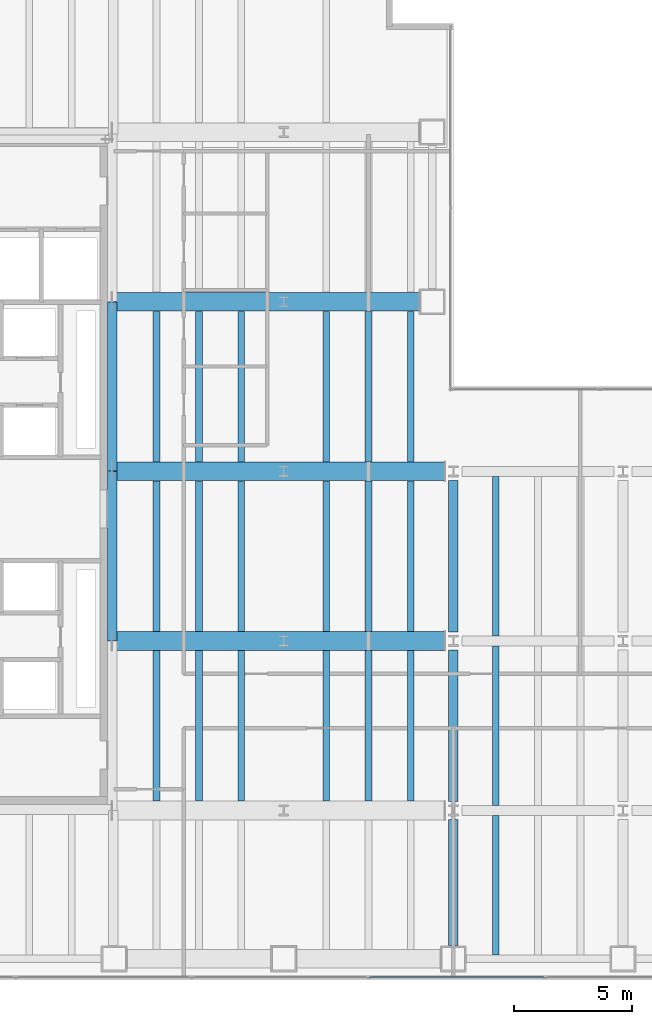
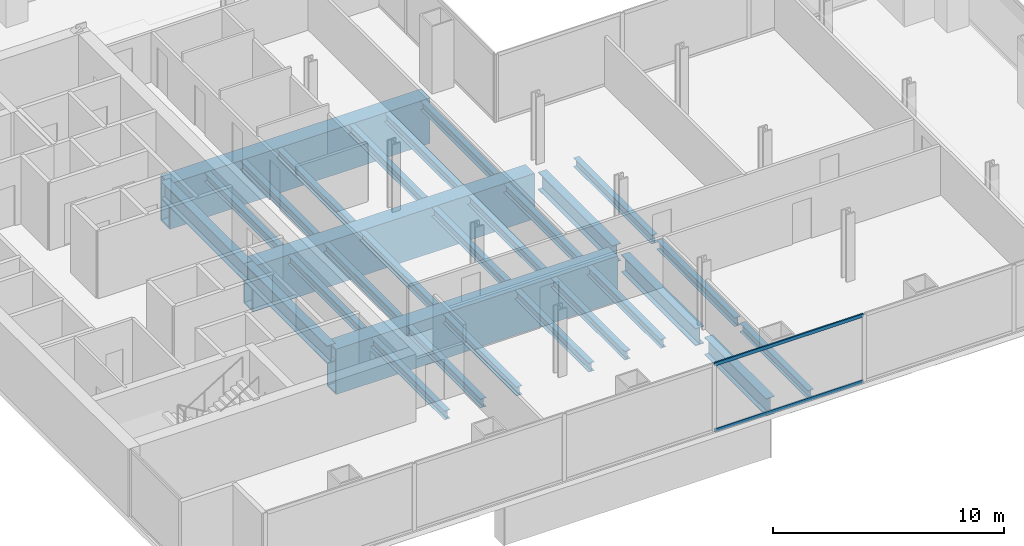
# One storey, part 5 of 24: 29 beams, 2 members, 1 element without a shape of its own.
"""IFC4 building model written with IfcOpenShell, lengths in metres."""

from ifc_helpers import new_model, si_unit, direction, frame, origin, origin_2d, place, context, subcontext, project, spatial, hollow_rectangle, i_section, extrude, material, material_profile, profile_set, type_object, element, aggregate, save


model = new_model("IFC4")

# Units and contexts
model_context = context("Model", 3, precision=1e-05, world=origin(), true_north=direction((0.0, 1.0)))
body_context = subcontext(model_context, "Body", "Model", "MODEL_VIEW")
ifc_project = project(units=[si_unit("LENGTHUNIT", "METRE"), si_unit("AREAUNIT", "SQUARE_METRE"), si_unit("VOLUMEUNIT", "CUBIC_METRE"), si_unit("PLANEANGLEUNIT", "RADIAN"), si_unit("MASSUNIT", "GRAM", prefix="KILO")], contexts=[model_context])

# Site, building, storey
site_placement = place(None, origin())
site = spatial("IfcSite", under=ifc_project, at=site_placement, CompositionType="ELEMENT")
building_placement = place(site_placement, origin())
building = spatial("IfcBuilding", under=site, at=building_placement, Name="Cobrela Telecom Tower", CompositionType="ELEMENT")
storey_placement = place(building_placement, frame((0.0, 0.0, 31.14990234375)))
storey = spatial("IfcBuildingStorey", under=building, at=storey_placement, Name="L07", CompositionType="ELEMENT", Elevation=31.14990234375)

# Beams
ifc_material_1 = material(Name="Steel ASTM A992 Grade 50", Category="steel")
ifc_material_profile_1 = material_profile(ifc_material_1, i_section(OverallWidth=0.4189453125, OverallDepth=0.927001953125, WebThickness=0.019287109375, FlangeThickness=0.031982421875, FilletRadius=0.02392578125, at=origin_2d()), Name="W36X231")
ifc_profile_set_1 = profile_set([ifc_material_profile_1], Name="Steel ASTM A992 Grade 50")
beam_type_1 = type_object("IfcBeamType", Name="BM-GIRD-02", PredefinedType="USERDEFINED", material=ifc_profile_set_1)
for number, where, z_axis, x_axis, name in (
    (1, (14.320068359375, 14.405029296875, -0.743408203125), (0.0, 1.0, 0.0), (-1.0, 0.0, 0.0), "L07 Primary Girder Y22"),
    (2, (14.320068359375, 21.60498046875, -0.743408203125), (0.0, 1.0, 0.0), (-1.0, 0.0, 0.0), "L07 Primary Girder Y23"),
):
    element("IfcBeam", number, at=place(storey_placement, frame(where, z_axis=z_axis, x_axis=x_axis)), inside=storey, type_object=beam_type_1, Name=name, ObjectType="GIRDER", PredefinedType="USERDEFINED", context=body_context, shape_type="SweptSolid", body=[
        extrude(i_section(OverallWidth=0.4189453125, OverallDepth=0.927001953125, WebThickness=0.019287109375, FlangeThickness=0.031982421875, FilletRadius=0.02392578125, at=origin_2d()), origin(), (0.0, 0.0, 1.0), 7.18994140625),
    ])
beam_1_placement = place(storey_placement, frame((28.800048828125, 1.455078125, -0.743408203125), z_axis=(0.0, 1.0, 0.0), x_axis=(-1.0, 0.0, 0.0)))
element("IfcBeam", 3, at=beam_1_placement, inside=storey, type_object=beam_type_1, Name="L07 Primary Girder Y27", ObjectType="GIRDER", PredefinedType="USERDEFINED", context=body_context, shape_type="SweptSolid", body=[
    extrude(i_section(OverallWidth=0.4189453125, OverallDepth=0.927001953125, WebThickness=0.019287109375, FlangeThickness=0.031982421875, FilletRadius=0.02392578125, at=origin_2d()), origin(), (0.0, 0.0, 1.0), 5.364990234375),
])
for number, where, z_axis, x_axis, name in (
    (4, (28.800048828125, 7.580078125, -0.743408203125), (0.0, 1.0, 0.0), (-1.0, 0.0, 0.0), "L07 Primary Girder Y28"),
    (5, (28.800048828125, 14.780029296875, -0.743408203125), (0.0, 1.0, 0.0), (-1.0, 0.0, 0.0), "L07 Primary Girder Y29"),
):
    element("IfcBeam", number, at=place(storey_placement, frame(where, z_axis=z_axis, x_axis=x_axis)), inside=storey, type_object=beam_type_1, Name=name, ObjectType="GIRDER", PredefinedType="USERDEFINED", context=body_context, shape_type="SweptSolid", body=[
        extrude(i_section(OverallWidth=0.4189453125, OverallDepth=0.927001953125, WebThickness=0.019287109375, FlangeThickness=0.031982421875, FilletRadius=0.02392578125, at=origin_2d()), origin(), (0.0, 0.0, 1.0), 6.43994140625),
    ])
ifc_material_profile_2 = material_profile(ifc_material_1, i_section(OverallWidth=0.281982421875, OverallDepth=0.467041015625, WebThickness=0.01220703125, FlangeThickness=0.01953125, FilletRadius=0.012939453125, at=origin_2d()), Name="W18X86")
ifc_profile_set_2 = profile_set([ifc_material_profile_2], Name="Steel ASTM A992 Grade 50")
beam_type_2 = type_object("IfcBeamType", Name="BM-JOIST-02", PredefinedType="JOIST", material=ifc_profile_set_2)
for number, where, z_axis, x_axis, name in (
    (6, (16.199951171875, 7.60498046875, -0.513427734375), (0.0, 1.0, 0.0), (-1.0, 0.0, 0.0), "L07 Secondary Composite Floor Beam J08"),
    (7, (16.199951171875, 14.804931640625, -0.513427734375), (0.0, 1.0, 0.0), (-1.0, 0.0, 0.0), "L07 Secondary Composite Floor Beam J09"),
    (8, (16.199951171875, 22.0048828125, -0.513427734375), (0.0, 1.0, 0.0), (-1.0, 0.0, 0.0), "L07 Secondary Composite Floor Beam J10"),
    (9, (18.0, 7.60498046875, -0.513427734375), (0.0, 1.0, 0.0), (-1.0, 0.0, 0.0), "L07 Secondary Composite Floor Beam J14"),
    (10, (18.0, 14.804931640625, -0.513427734375), (0.0, 1.0, 0.0), (-1.0, 0.0, 0.0), "L07 Secondary Composite Floor Beam J15"),
    (11, (18.0, 22.0048828125, -0.513427734375), (0.0, 1.0, 0.0), (-1.0, 0.0, 0.0), "L07 Secondary Composite Floor Beam J16"),
    (12, (19.800048828125, 7.60498046875, -0.513427734375), (0.0, 1.0, 0.0), (-1.0, 0.0, 0.0), "L07 Secondary Composite Floor Beam J20"),
    (13, (19.800048828125, 14.804931640625, -0.513427734375), (0.0, 1.0, 0.0), (-1.0, 0.0, 0.0), "L07 Secondary Composite Floor Beam J21"),
    (14, (19.800048828125, 22.0048828125, -0.513427734375), (0.0, 1.0, 0.0), (-1.0, 0.0, 0.0), "L07 Secondary Composite Floor Beam J22"),
    (15, (23.39990234375, 7.60498046875, -0.513427734375), (0.0, 1.0, 0.0), (-1.0, 0.0, 0.0), "L07 Secondary Composite Floor Beam J26"),
    (16, (23.39990234375, 14.804931640625, -0.513427734375), (0.0, 1.0, 0.0), (-1.0, 0.0, 0.0), "L07 Secondary Composite Floor Beam J27"),
    (17, (23.39990234375, 22.0048828125, -0.513427734375), (0.0, 1.0, 0.0), (-1.0, 0.0, 0.0), "L07 Secondary Composite Floor Beam J28"),
    (18, (25.199951171875, 7.60498046875, -0.513427734375), (0.0, 1.0, 0.0), (-1.0, 0.0, 0.0), "L07 Secondary Composite Floor Beam J32"),
    (19, (25.199951171875, 14.804931640625, -0.513427734375), (0.0, 1.0, 0.0), (-1.0, 0.0, 0.0), "L07 Secondary Composite Floor Beam J33"),
    (20, (25.199951171875, 22.0048828125, -0.513427734375), (0.0, 1.0, 0.0), (-1.0, 0.0, 0.0), "L07 Secondary Composite Floor Beam J34"),
    (21, (27.0, 7.60498046875, -0.513427734375), (0.0, 1.0, 0.0), (-1.0, 0.0, 0.0), "L07 Secondary Composite Floor Beam J37"),
    (22, (27.0, 14.804931640625, -0.513427734375), (0.0, 1.0, 0.0), (-1.0, 0.0, 0.0), "L07 Secondary Composite Floor Beam J38"),
    (23, (27.0, 22.0048828125, -0.513427734375), (0.0, 1.0, 0.0), (-1.0, 0.0, 0.0), "L07 Secondary Composite Floor Beam J39"),
):
    element("IfcBeam", number, at=place(storey_placement, frame(where, z_axis=z_axis, x_axis=x_axis)), inside=storey, type_object=beam_type_2, Name=name, PredefinedType="JOIST", context=body_context, shape_type="SweptSolid", body=[
        extrude(i_section(OverallWidth=0.281982421875, OverallDepth=0.467041015625, WebThickness=0.01220703125, FlangeThickness=0.01953125, FilletRadius=0.012939453125, at=origin_2d()), origin(), (0.0, 0.0, 1.0), 6.39013671875),
    ])
beam_2_placement = place(storey_placement, frame((30.60009765625, 1.0673828125, -0.513427734375), z_axis=(0.0, 1.0, 0.0), x_axis=(-1.0, 0.0, 0.0)))
element("IfcBeam", 24, at=beam_2_placement, inside=storey, type_object=beam_type_2, Name="L07 Secondary Composite Floor Beam J41", PredefinedType="JOIST", context=body_context, shape_type="SweptSolid", body=[
    extrude(i_section(OverallWidth=0.281982421875, OverallDepth=0.467041015625, WebThickness=0.01220703125, FlangeThickness=0.01953125, FilletRadius=0.012939453125, at=origin_2d()), origin(), (0.0, 0.0, 1.0), 5.918212890625),
])
for number, where, z_axis, x_axis, name in (
    (25, (30.60009765625, 7.41455078125, -0.513427734375), (0.0, 1.0, 0.0), (-1.0, 0.0, 0.0), "L07 Secondary Composite Floor Beam J42"),
    (26, (30.60009765625, 14.614501953125, -0.513427734375), (0.0, 1.0, 0.0), (-1.0, 0.0, 0.0), "L07 Secondary Composite Floor Beam J43"),
):
    element("IfcBeam", number, at=place(storey_placement, frame(where, z_axis=z_axis, x_axis=x_axis)), inside=storey, type_object=beam_type_2, Name=name, PredefinedType="JOIST", context=body_context, shape_type="SweptSolid", body=[
        extrude(i_section(OverallWidth=0.281982421875, OverallDepth=0.467041015625, WebThickness=0.01220703125, FlangeThickness=0.01953125, FilletRadius=0.012939453125, at=origin_2d()), origin(), (0.0, 0.0, 1.0), 6.77099609375),
    ])
ifc_material_2 = material(Name="Steel ASTM A572 Grade 50", Category="steel")
ifc_material_profile_3 = material_profile(ifc_material_2, hollow_rectangle(XDim=0.800048828125, YDim=2.39990234375, WallThickness=0.070068359375, at=origin_2d()), Name="BOX 2400x800x70")
ifc_profile_set_3 = profile_set([ifc_material_profile_3], Name="Steel ASTM A572 Grade 50")
beam_type_3 = type_object("IfcBeamType", Name="BM-TRG-2400", PredefinedType="USERDEFINED", material=ifc_profile_set_3)
for number, where, z_axis, x_axis, name in (
    (27, (14.324951171875, 14.39990234375, -1.47998046875), (1.0, 0.0, 0.0), (0.0, 1.0, 0.0), "L07 Transfer Girder 03"),
    (28, (14.324951171875, 21.60009765625, -1.47998046875), (1.0, 0.0, 0.0), (0.0, 1.0, 0.0), "L07 Transfer Girder 04"),
):
    element("IfcBeam", number, at=place(storey_placement, frame(where, z_axis=z_axis, x_axis=x_axis)), inside=storey, type_object=beam_type_3, Name=name, ObjectType="GIRDER", PredefinedType="USERDEFINED", context=body_context, shape_type="SweptSolid", body=[
        extrude(hollow_rectangle(XDim=0.800048828125, YDim=2.39990234375, WallThickness=0.070068359375, at=origin_2d()), origin(), (0.0, 0.0, 1.0), 14.094970703125),
    ])
beam_3_placement = place(storey_placement, frame((14.324951171875, 28.800048828125, -1.47998046875), z_axis=(1.0, 0.0, 0.0), x_axis=(0.0, 1.0, 0.0)))
element("IfcBeam", 29, at=beam_3_placement, inside=storey, type_object=beam_type_3, Name="L07 Transfer Girder 05", ObjectType="GIRDER", PredefinedType="USERDEFINED", context=body_context, shape_type="SweptSolid", body=[
    extrude(hollow_rectangle(XDim=0.800048828125, YDim=2.39990234375, WallThickness=0.070068359375, at=origin_2d()), origin(), (0.0, 0.0, 1.0), 13.02001953125),
])

# Curtain wall, members
ifc_material_3 = material(Name="Anodized Bronze Aluminium 6063-T6", Category="aluminium")
curtain_wall_type = type_object("IfcCurtainWallType", Name="CW-SYS-DATA", PredefinedType="USERDEFINED", material=ifc_material_3)
curtain_wall_placement = place(storey_placement, origin())
curtain_wall = element("IfcCurtainWall", 30, at=curtain_wall_placement, inside=storey, type_object=curtain_wall_type, Name="L07 Unitised Bronze Curtain Wall 17", ObjectType="UNITISED CURTAIN WALL", PredefinedType="USERDEFINED")
ifc_material_profile_4 = material_profile(ifc_material_3, hollow_rectangle(XDim=0.074951171875, YDim=0.179931640625, WallThickness=0.00390625, at=origin_2d()), Name="ALU 75x180x4")
ifc_profile_set_4 = profile_set([ifc_material_profile_4], Name="Anodized Bronze Aluminium 6063-T6")
member_type = type_object("IfcMemberType", Name="CW-SYS-DATA-TRN", PredefinedType="USERDEFINED", material=ifc_profile_set_4)
member_1_placement = place(storey_placement, frame((32.65673828125, 0.1201171875, 0.03759765625), z_axis=(-1.0, 0.0, 0.0), x_axis=(0.0, -1.0, 0.0)))
member_1 = element("IfcMember", 31, at=member_1_placement, type_object=member_type, Name="CW-DATA transom 3.1", ObjectType="TRANSOM", PredefinedType="USERDEFINED", context=body_context, shape_type="SweptSolid", body=[
    extrude(hollow_rectangle(XDim=0.074951171875, YDim=0.179931640625, WallThickness=0.00390625, at=origin_2d()), origin(), (0.0, 0.0, 1.0), 7.416748046875),
])
member_2_placement = place(storey_placement, frame((32.65673828125, 0.1201171875, 3.53271484375), z_axis=(-1.0, 0.0, 0.0), x_axis=(0.0, -1.0, 0.0)))
member_2 = element("IfcMember", 32, at=member_2_placement, type_object=member_type, Name="CW-DATA transom 3.2", ObjectType="TRANSOM", PredefinedType="USERDEFINED", context=body_context, shape_type="SweptSolid", body=[
    extrude(hollow_rectangle(XDim=0.074951171875, YDim=0.179931640625, WallThickness=0.00390625, at=origin_2d()), origin(), (0.0, 0.0, 1.0), 7.416748046875),
])
aggregate(curtain_wall, [member_1, member_2])

save(model, "model.ifc")
